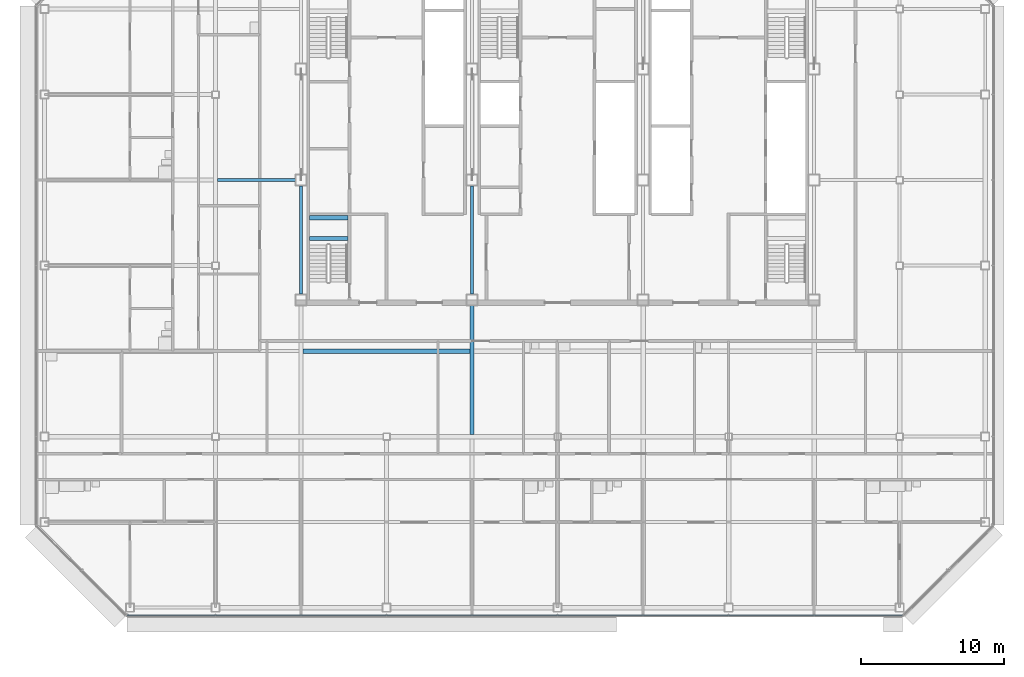
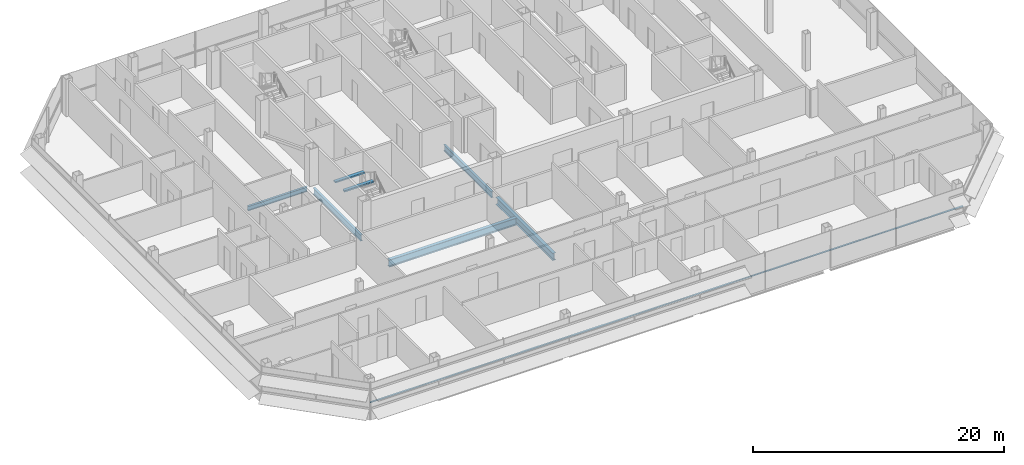
# One storey, part 8 of 28: 7 beams, 1 member, 1 element without a shape of its own.
"""IFC4 building model written with IfcOpenShell, lengths in metres."""

from ifc_helpers import new_model, si_unit, direction, frame, origin, origin_2d, place, context, subcontext, project, spatial, rectangle, i_section, extrude, material, material_profile, profile_set, type_object, element, aggregate, save


model = new_model("IFC4")

# Units and contexts
model_context = context("Model", 3, precision=1e-05, world=origin(), true_north=direction((0.0, 1.0)))
body_context = subcontext(model_context, "Body", "Model", "MODEL_VIEW")
ifc_project = project(units=[si_unit("LENGTHUNIT", "METRE"), si_unit("AREAUNIT", "SQUARE_METRE"), si_unit("VOLUMEUNIT", "CUBIC_METRE"), si_unit("PLANEANGLEUNIT", "RADIAN"), si_unit("MASSUNIT", "GRAM", prefix="KILO")], contexts=[model_context])

# Site, building, storey
site_placement = place(None, origin())
site = spatial("IfcSite", under=ifc_project, at=site_placement, CompositionType="ELEMENT")
building_placement = place(site_placement, origin())
building = spatial("IfcBuilding", under=site, at=building_placement, Name="Sorahane Residences", CompositionType="ELEMENT")
storey_placement = place(building_placement, frame((0.0, 0.0, 266.60009765625)))
storey = spatial("IfcBuildingStorey", under=building, at=storey_placement, Name="L63", CompositionType="ELEMENT", Elevation=266.60009765625)

# Curtain wall, member
ifc_material_1 = material(Name="Dark low-e glass and black anodised aluminium", Category="aluminium")
curtain_wall_type = type_object("IfcCurtainWallType", Name="Curtain wall CW-1 Typical unitised wall", PredefinedType="NOTDEFINED", material=ifc_material_1)
curtain_wall_placement = place(storey_placement, origin())
curtain_wall = element("IfcCurtainWall", 1, at=curtain_wall_placement, inside=storey, type_object=curtain_wall_type, Name="CW-1 curtain wall L63 S1", PredefinedType="NOTDEFINED")
ifc_material_2 = material(Name="Black anodised aluminium", Category="aluminium")
ifc_material_profile_1 = material_profile(ifc_material_2, rectangle(XDim=0.10009765625, YDim=0.06005859375, at=origin_2d()), Name="Curtain wall transom CW-1 black anodised aluminium 60x100")
ifc_profile_set_1 = profile_set([ifc_material_profile_1], Name="Black anodised aluminium")
member_type = type_object("IfcMemberType", Name="Curtain wall transom CW-1 black anodised aluminium 60x100", PredefinedType="USERDEFINED", material=ifc_profile_set_1)
member_placement = place(storey_placement, frame((-6.198486328125, -0.530029296875, 1.5), z_axis=(1.0, 0.0, 0.0), x_axis=(0.0, 1.0, 0.0)))
member = element("IfcMember", 2, at=member_placement, type_object=member_type, Name="CW-1 transom L63 S1", ObjectType="TRANSOM", PredefinedType="USERDEFINED", context=body_context, shape_type="SweptSolid", body=[
    extrude(rectangle(XDim=0.10009765625, YDim=0.06005859375, at=origin_2d()), origin(), (0.0, 0.0, 1.0), 54.39697265625),
])
aggregate(curtain_wall, [member])

# Beams
ifc_material_3 = material(Name="Concrete C40", Category="concrete")
ifc_material_profile_2 = material_profile(ifc_material_3, rectangle(XDim=0.300048828125, YDim=0.139892578125, at=origin_2d()), Name="300x140")
ifc_profile_set_2 = profile_set([ifc_material_profile_2], Name="Concrete C40")
beam_type_1 = type_object("IfcBeamType", Name="RC landing beam 300 x 140 Concrete C40", PredefinedType="BEAM", material=ifc_profile_set_2)
for number, where, z_axis, x_axis, name in (
    (3, (6.60009765625, 25.89990234375, 1.52978515625), (1.0, 0.0, 0.0), (0.0, 1.0, 0.0), "Landing beam"),
    (4, (6.60009765625, 27.35009765625, 1.52978515625), (1.0, 0.0, 0.0), (0.0, 1.0, 0.0), "Landing beam"),
):
    element("IfcBeam", number, at=place(storey_placement, frame(where, z_axis=z_axis, x_axis=x_axis)), inside=storey, type_object=beam_type_1, Name=name, PredefinedType="BEAM", context=body_context, shape_type="SweptSolid", body=[
        extrude(rectangle(XDim=0.300048828125, YDim=0.139892578125, at=origin_2d()), origin(), (0.0, 0.0, 1.0), 2.699951171875),
    ])
ifc_material_4 = material(Name="Steel Q355B", Category="steel")
ifc_material_profile_3 = material_profile(ifc_material_4, i_section(OverallWidth=0.199951171875, OverallDepth=0.449951171875, WebThickness=0.009033203125, FlangeThickness=0.013916015625, FilletRadius=0.02001953125, at=origin_2d()), Name="HN 450x200x9x14")
ifc_profile_set_3 = profile_set([ifc_material_profile_3], Name="Steel Q355B")
beam_type_2 = type_object("IfcBeamType", Name="Steel floor beam HN 450x200x9x14 Q355B", PredefinedType="BEAM", material=ifc_profile_set_3)
beam_1_placement = place(storey_placement, frame((0.14990234375, 30.0, -0.405029296875), z_axis=(1.0, 0.0, 0.0), x_axis=(0.0, 1.0, 0.0)))
element("IfcBeam", 5, at=beam_1_placement, inside=storey, type_object=beam_type_2, Name="Beam L63 086", PredefinedType="BEAM", context=body_context, shape_type="SweptSolid", body=[
    extrude(i_section(OverallWidth=0.199951171875, OverallDepth=0.449951171875, WebThickness=0.009033203125, FlangeThickness=0.013916015625, FilletRadius=0.02001953125, at=origin_2d()), origin(), (0.0, 0.0, 1.0), 5.4501953125),
])
ifc_material_5 = material(Name="Steel Q355B", Category="steel")
ifc_material_profile_4 = material_profile(ifc_material_5, i_section(OverallWidth=0.199951171875, OverallDepth=0.60009765625, WebThickness=0.010986328125, FlangeThickness=0.01708984375, FilletRadius=0.02392578125, at=origin_2d()), Name="HN 600x200x11x17")
ifc_profile_set_4 = profile_set([ifc_material_profile_4], Name="Steel Q355B")
beam_type_3 = type_object("IfcBeamType", Name="Steel floor beam HN 600x200x11x17 Q355B", PredefinedType="BEAM", material=ifc_profile_set_4)
for number, where, z_axis, x_axis, name in (
    (6, (6.0, 22.0, -0.47998046875), (0.0, 1.0, 0.0), (-1.0, 0.0, 0.0), "Beam L63 030"),
    (7, (18.0, 22.0, -0.47998046875), (0.0, 1.0, 0.0), (-1.0, 0.0, 0.0), "Beam L63 038"),
):
    element("IfcBeam", number, at=place(storey_placement, frame(where, z_axis=z_axis, x_axis=x_axis)), inside=storey, type_object=beam_type_3, Name=name, PredefinedType="BEAM", context=body_context, shape_type="SweptSolid", body=[
        extrude(i_section(OverallWidth=0.199951171875, OverallDepth=0.60009765625, WebThickness=0.010986328125, FlangeThickness=0.01708984375, FilletRadius=0.02392578125, at=origin_2d()), origin(), (0.0, 0.0, 1.0), 7.60009765625),
    ])
ifc_material_6 = material(Name="Steel Q355B", Category="steel")
ifc_material_profile_5 = material_profile(ifc_material_6, i_section(OverallWidth=0.300048828125, OverallDepth=0.699951171875, WebThickness=0.012939453125, FlangeThickness=0.02392578125, FilletRadius=0.028076171875, at=origin_2d()), Name="HN 700x300x13x24")
ifc_profile_set_5 = profile_set([ifc_material_profile_5], Name="Steel Q355B")
beam_type_4 = type_object("IfcBeamType", Name="Steel floor beam HN 700x300x13x24 Q355B", PredefinedType="BEAM", material=ifc_profile_set_5)
beam_2_placement = place(storey_placement, frame((18.0, 12.14990234375, -0.530029296875), z_axis=(0.0, 1.0, 0.0), x_axis=(-1.0, 0.0, 0.0)))
element("IfcBeam", 8, at=beam_2_placement, inside=storey, type_object=beam_type_4, Name="Beam L63 037", PredefinedType="BEAM", context=body_context, shape_type="SweptSolid", body=[
    extrude(i_section(OverallWidth=0.300048828125, OverallDepth=0.699951171875, WebThickness=0.012939453125, FlangeThickness=0.02392578125, FilletRadius=0.028076171875, at=origin_2d()), origin(), (0.0, 0.0, 1.0), 9.050048828125),
])
beam_3_placement = place(storey_placement, frame((6.14990234375, 18.0, -0.530029296875), z_axis=(1.0, 0.0, 0.0), x_axis=(0.0, 1.0, 0.0)))
element("IfcBeam", 9, at=beam_3_placement, inside=storey, type_object=beam_type_4, Name="Beam L63 080", PredefinedType="BEAM", context=body_context, shape_type="SweptSolid", body=[
    extrude(i_section(OverallWidth=0.300048828125, OverallDepth=0.699951171875, WebThickness=0.012939453125, FlangeThickness=0.02392578125, FilletRadius=0.028076171875, at=origin_2d()), origin(), (0.0, 0.0, 1.0), 11.7001953125),
])

save(model, "model.ifc")
